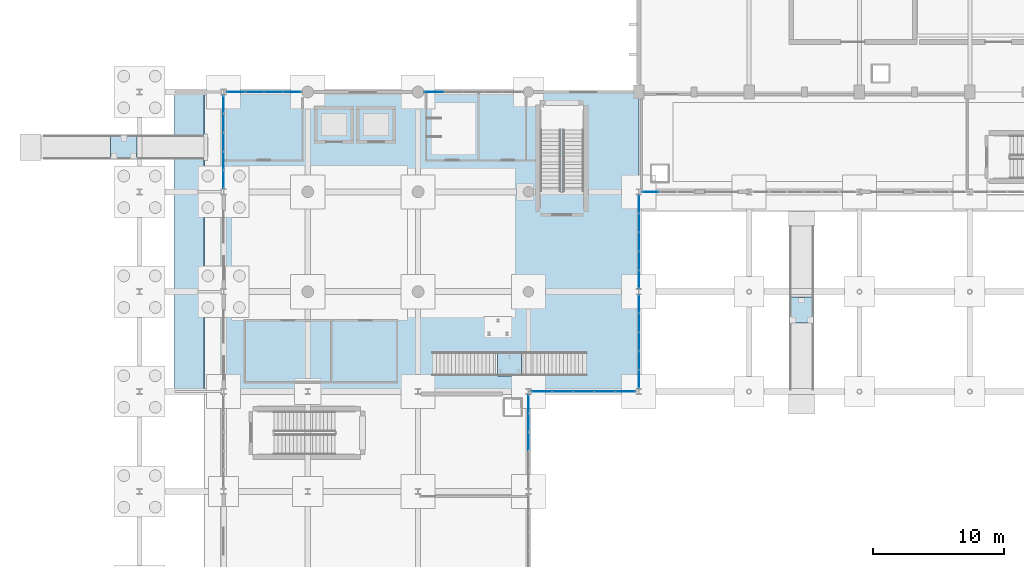
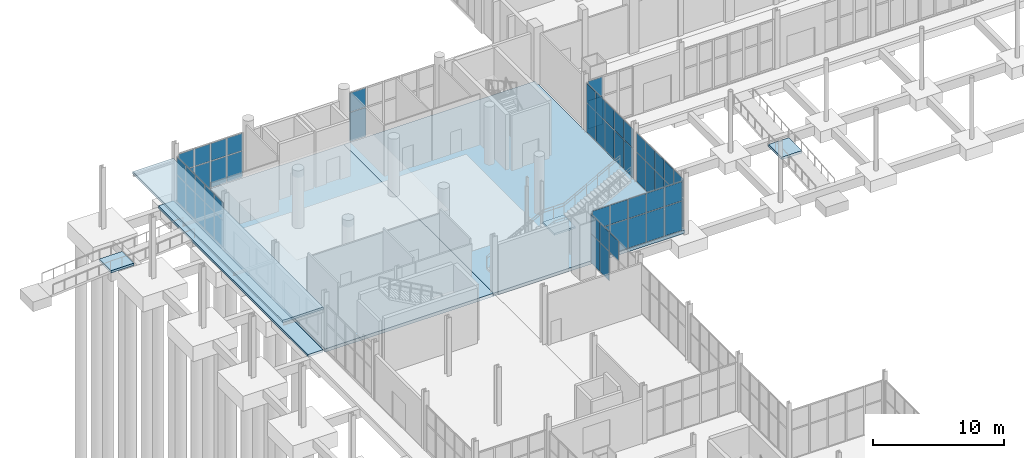
# One storey, part 62 of 95: 57 plates, 7 slabs, 11 elements without a shape of their own.
"""IFC4 building model written with IfcOpenShell, lengths in metres."""

import ifcopenshell
import ifcopenshell.guid

model = None  # the IFC model being written
_history = None  # IfcOwnerHistory: only IFC2X3 demands one
_inside = {}  # id of a spatial element -> (the spatial element, [elements in it])
_under = {}  # id of a project, library or spatial element -> (it, [spatial elements below it])
_declared = {}  # id of a project -> (the project, [libraries it declares])
_typed = {}  # id of a type object -> (the type object, [elements of that type])
_made_of = {}  # id of a material, layer set ... -> (it, [elements and type objects made of it])


def new_model(schema):
    """Start an empty IFC model of exactly this schema.

    Asked for "IFC4X3", IfcOpenShell would pick the latest addendum, in which some entities
    have other attributes; the version numbers below select the first issue.
    IFC2X3 requires an IfcOwnerHistory on every rooted entity: one is made here for all.
    """
    global model, _history
    if schema == "IFC4X3":
        model = ifcopenshell.file(schema_version=(4, 3, 0, 0))
    else:
        model = ifcopenshell.file(schema=schema)
    _inside.clear()
    _under.clear()
    _declared.clear()
    _typed.clear()
    _made_of.clear()
    _history = None
    if model.schema == "IFC2X3":
        org = make("IfcOrganization", Name="unknown")
        user = make(
            "IfcPersonAndOrganization",
            ThePerson=make("IfcPerson", FamilyName="unknown"),
            TheOrganization=org,
        )
        app = make(
            "IfcApplication",
            ApplicationDeveloper=org,
            Version="unknown",
            ApplicationFullName="unknown",
            ApplicationIdentifier="unknown",
        )
        _history = make(
            "IfcOwnerHistory",
            OwningUser=user,
            OwningApplication=app,
            ChangeAction="ADDED",
            CreationDate=0,
        )
    return model


def make(cls, **values):
    """One entity of the class cls with the attributes given. An attribute that is None is left unset."""
    return model.create_entity(
        cls, **{name: value for name, value in values.items() if value is not None}
    )


def rooted(cls, **values):
    """An entity with a GlobalId (a new one), such as an element, a storey or a relation."""
    return make(cls, GlobalId=ifcopenshell.guid.new(), OwnerHistory=_history, **values)


def si_unit(unit_type, name, prefix=None):
    """IfcSIUnit, for example si_unit("LENGTHUNIT", "METRE", prefix="MILLI")."""
    return make("IfcSIUnit", UnitType=unit_type, Prefix=prefix, Name=name)


def assignment(units):
    """IfcUnitAssignment: the units of a project."""
    return None if units is None else make("IfcUnitAssignment", Units=units)


def point(xyz):
    """IfcCartesianPoint."""
    return None if xyz is None else make("IfcCartesianPoint", Coordinates=xyz)


def direction(xyz):
    """IfcDirection."""
    return None if xyz is None else make("IfcDirection", DirectionRatios=xyz)


def frame(location, z_axis=None, x_axis=None):
    """IfcAxis2Placement3D, a coordinate frame: its origin and axes. An axis left out is left unset."""
    return make(
        "IfcAxis2Placement3D",
        Location=point(location),
        Axis=direction(z_axis),
        RefDirection=direction(x_axis),
    )


def frame_2d(location, x_axis=None):
    """IfcAxis2Placement2D, a coordinate frame in the plane: its origin and x axis."""
    return make(
        "IfcAxis2Placement2D", Location=point(location), RefDirection=direction(x_axis)
    )


def origin():
    """The frame at (0, 0, 0) with its axes left unset."""
    return frame((0.0, 0.0, 0.0))


def origin_2d():
    """The frame at (0, 0) in the plane with its x axis left unset."""
    return frame_2d((0.0, 0.0))


def place(relative_to, where):
    """IfcLocalPlacement: puts the frame where relative to a parent placement (None: the world)."""
    return make(
        "IfcLocalPlacement", PlacementRelTo=relative_to, RelativePlacement=where
    )


def context(
    kind, dimensions, precision=None, world=None, true_north=None, identifier=None
):
    """IfcGeometricRepresentationContext, for example the 3D "Model" context."""
    return make(
        "IfcGeometricRepresentationContext",
        ContextIdentifier=identifier,
        ContextType=kind,
        CoordinateSpaceDimension=dimensions,
        Precision=precision,
        WorldCoordinateSystem=world,
        TrueNorth=true_north,
    )


def subcontext(parent, identifier, kind, view, scale=None):
    """IfcGeometricRepresentationSubContext, for example "Body" below "Model"."""
    return make(
        "IfcGeometricRepresentationSubContext",
        ContextIdentifier=identifier,
        ContextType=kind,
        ParentContext=parent,
        TargetScale=scale,
        TargetView=view,
    )


def project(units=None, contexts=None):
    """IfcProject with its units and contexts."""
    return rooted(
        "IfcProject",
        Name="project",
        RepresentationContexts=contexts,
        UnitsInContext=assignment(units),
    )


def spatial(cls, under=None, at=None, **own):
    """A site, building, storey or space (cls), placed at a placement, below another one or the project."""
    s = rooted(cls, ObjectPlacement=at, **own)
    if under is not None:
        _under.setdefault(under.id(), (under, []))[1].append(s)
    return s


def polyline(points):
    """IfcPolyline through the points."""
    return make("IfcPolyline", Points=[point(p) for p in points])


def profile(cls, at=None, kind="AREA", **sizes):
    """A parametric profile (cls). Its sizes go by their IFC names, for example OverallWidth=200.0."""
    return make(cls, ProfileType=kind, Position=at, **sizes)


def rectangle(**sizes):
    """IfcRectangleProfileDef."""
    return profile("IfcRectangleProfileDef", **sizes)


def outline(outer, holes=None, kind="AREA"):
    """IfcArbitraryClosedProfileDef: a profile drawn as a closed curve; with holes, ...WithVoids."""
    if holes is None:
        return make("IfcArbitraryClosedProfileDef", ProfileType=kind, OuterCurve=outer)
    return make(
        "IfcArbitraryProfileDefWithVoids",
        ProfileType=kind,
        OuterCurve=outer,
        InnerCurves=holes,
    )


def extrude(swept, where, along, depth):
    """IfcExtrudedAreaSolid: the profile swept, set in the frame where, extruded along a direction by depth."""
    return make(
        "IfcExtrudedAreaSolid",
        SweptArea=swept,
        Position=where,
        ExtrudedDirection=direction(along),
        Depth=depth,
    )


def shape(context_of_items, identifier, shape_type, items):
    """IfcShapeRepresentation: the items that make up one representation, for example the "Body"."""
    return make(
        "IfcShapeRepresentation",
        ContextOfItems=context_of_items,
        RepresentationIdentifier=identifier,
        RepresentationType=shape_type,
        Items=items,
    )


def material(Name=None, Category=None):
    """IfcMaterial."""
    return make("IfcMaterial", Name=Name, Category=Category)


def layer(
    of_material, thickness, ventilated=None, Name=None, Category=None, Priority=None
):
    """IfcMaterialLayer: one layer of a wall or slab, of a material (None: an air gap)."""
    return make(
        "IfcMaterialLayer",
        Material=of_material,
        LayerThickness=thickness,
        IsVentilated=ventilated,
        Name=Name,
        Category=Category,
        Priority=Priority,
    )


def layer_set(layers, Name=None):
    """IfcMaterialLayerSet."""
    return make("IfcMaterialLayerSet", MaterialLayers=layers, LayerSetName=Name)


def made_of(thing, what):
    """Note that an element or type object is made of a material, layer set ...; save() writes the relation."""
    if what is not None:
        _made_of.setdefault(what.id(), (what, []))[1].append(thing)
    return thing


def type_object(cls, material=None, **own):
    """A type object (cls), such as IfcWallType, which elements share."""
    return made_of(rooted(cls, **own), material)


def element(
    cls,
    number,
    at=None,
    inside=None,
    cuts=None,
    type_object=None,
    material=None,
    context=None,
    identifier="Body",
    shape_type=None,
    held_by="IfcProductDefinitionShape",
    body=None,
    shapes=None,
    **own,
):
    """One element of the class cls, such as IfcWall. Its Tag is "e" and its number.

    at: its placement. inside: the storey or other place that contains it. cuts: it is an
    opening in that element (IfcRelVoidsElement). A single representation is given by context,
    identifier, shape_type and body (its items); several are given by shapes. held_by: the class
    of the entity that holds the representations. save() writes the other relations.
    """
    e = rooted(cls, Tag="e%d" % number, ObjectPlacement=at, **own)
    if body is not None:
        shapes = [shape(context, identifier, shape_type, body)]
    if shapes is not None:
        e.Representation = make(held_by, Representations=shapes)
    if inside is not None:
        _inside.setdefault(inside.id(), (inside, []))[1].append(e)
    if cuts is not None:
        rooted(
            "IfcRelVoidsElement", RelatingBuildingElement=cuts, RelatedOpeningElement=e
        )
    if type_object is not None:
        _typed.setdefault(type_object.id(), (type_object, []))[1].append(e)
    return made_of(e, material)


def aggregate(whole, parts):
    """IfcRelAggregates: a whole, such as a stair, and the parts it consists of."""
    return rooted("IfcRelAggregates", RelatingObject=whole, RelatedObjects=parts)


def save(model, path):
    """Write the relations noted so far, then the file.

    IfcRelAggregates (storeys below a building ...), IfcRelContainedInSpatialStructure (elements
    in a storey), IfcRelDefinesByType, IfcRelAssociatesMaterial and IfcRelDeclares: one each for
    every whole, place, type object, material and project.
    """
    for whole, parts in _under.values():
        aggregate(whole, parts)
    for where, things in _inside.values():
        rooted(
            "IfcRelContainedInSpatialStructure",
            RelatedElements=things,
            RelatingStructure=where,
        )
    for kind, things in _typed.values():
        rooted("IfcRelDefinesByType", RelatedObjects=things, RelatingType=kind)
    for what, things in _made_of.values():
        rooted("IfcRelAssociatesMaterial", RelatedObjects=things, RelatingMaterial=what)
    for by, libraries in _declared.values():
        rooted("IfcRelDeclares", RelatingContext=by, RelatedDefinitions=libraries)
    model.write(path)


model = new_model("IFC4")

# Units and contexts
model_context = context("Model", 3, precision=1e-05, world=origin(), true_north=direction((0.0, 1.0)))
body_context = subcontext(model_context, "Body", "Model", "MODEL_VIEW")
ifc_project = project(units=[si_unit("LENGTHUNIT", "METRE"), si_unit("AREAUNIT", "SQUARE_METRE"), si_unit("VOLUMEUNIT", "CUBIC_METRE"), si_unit("PLANEANGLEUNIT", "RADIAN"), si_unit("MASSUNIT", "GRAM", prefix="KILO")], contexts=[model_context])

# Site, building, storey
site_placement = place(None, origin())
site = spatial("IfcSite", under=ifc_project, at=site_placement, CompositionType="ELEMENT")
building_placement = place(site_placement, origin())
building = spatial("IfcBuilding", under=site, at=building_placement, Name="Shengluoqiao Park Theatre", CompositionType="ELEMENT")
storey_placement = place(building_placement, origin())
storey = spatial("IfcBuildingStorey", under=building, at=storey_placement, Name="L00", CompositionType="ELEMENT", Elevation=0.0)

# Curtain wall, plates
ifc_material_1 = material(Name="Aluminium 6063-T6", Category="aluminium")
curtain_wall_type_1 = type_object("IfcCurtainWallType", Name="ENV-CW-COURT", PredefinedType="NOTDEFINED", material=ifc_material_1)
curtain_wall_1_placement = place(storey_placement, origin())
curtain_wall_1 = element("IfcCurtainWall", 1, at=curtain_wall_1_placement, inside=storey, type_object=curtain_wall_type_1, Name="L00 Curtain Wall CWX-L00-0015", PredefinedType="NOTDEFINED")
ifc_material_2 = material(Name="Insulated glass", Category="glass")
ifc_layer_1 = layer(ifc_material_2, 0.0380859375, Name="Insulated glass")
ifc_layer_set_1 = layer_set([ifc_layer_1], Name="Insulated glass")
plate_type = type_object("IfcPlateType", Name="ENV-GLZ-GL-38", PredefinedType="CURTAIN_PANEL", material=ifc_layer_set_1)
plate_1_placement = place(storey_placement, frame((36.0, 49.39990234375, 2.820068359375), z_axis=(0.0, 0.0, 1.0), x_axis=(0.0, 1.0, 0.0)))
plate_1 = element("IfcPlate", 2, at=plate_1_placement, type_object=plate_type, Name="CW-05 panel 3.2", PredefinedType="CURTAIN_PANEL", context=body_context, shape_type="SweptSolid", body=[
    extrude(rectangle(XDim=1.372802734375, YDim=0.0380859375, at=origin_2d()), origin(), (0.0, 0.0, 1.0), 1.77001953125),
])
plate_2_placement = place(storey_placement, frame((36.0, 50.832763671875, 0.06005859375), z_axis=(0.0, 0.0, 1.0), x_axis=(0.0, 1.0, 0.0)))
plate_2 = element("IfcPlate", 3, at=plate_2_placement, type_object=plate_type, Name="CW-05 panel 4.1", PredefinedType="CURTAIN_PANEL", context=body_context, shape_type="SweptSolid", body=[
    extrude(rectangle(XDim=1.372802734375, YDim=0.0380859375, at=origin_2d()), origin(), (0.0, 0.0, 1.0), 2.699951171875),
])
plate_3_placement = place(storey_placement, frame((36.0, 50.832763671875, 2.820068359375), z_axis=(0.0, 0.0, 1.0), x_axis=(0.0, 1.0, 0.0)))
plate_3 = element("IfcPlate", 4, at=plate_3_placement, type_object=plate_type, Name="CW-05 panel 4.2", PredefinedType="CURTAIN_PANEL", context=body_context, shape_type="SweptSolid", body=[
    extrude(rectangle(XDim=1.372802734375, YDim=0.0380859375, at=origin_2d()), origin(), (0.0, 0.0, 1.0), 1.77001953125),
])
plate_4_placement = place(storey_placement, frame((36.0, 52.25048828125, 0.06005859375), z_axis=(0.0, 0.0, 1.0), x_axis=(0.0, 1.0, 0.0)))
plate_4 = element("IfcPlate", 5, at=plate_4_placement, type_object=plate_type, Name="CW-05 panel 5.1", PredefinedType="CURTAIN_PANEL", context=body_context, shape_type="SweptSolid", body=[
    extrude(rectangle(XDim=1.3427734375, YDim=0.0380859375, at=origin_2d()), origin(), (0.0, 0.0, 1.0), 2.699951171875),
])
plate_5_placement = place(storey_placement, frame((36.0, 52.25048828125, 2.820068359375), z_axis=(0.0, 0.0, 1.0), x_axis=(0.0, 1.0, 0.0)))
plate_5 = element("IfcPlate", 6, at=plate_5_placement, type_object=plate_type, Name="CW-05 panel 5.2", PredefinedType="CURTAIN_PANEL", context=body_context, shape_type="SweptSolid", body=[
    extrude(rectangle(XDim=1.3427734375, YDim=0.0380859375, at=origin_2d()), origin(), (0.0, 0.0, 1.0), 1.77001953125),
])
aggregate(curtain_wall_1, [plate_1, plate_2, plate_3, plate_4, plate_5])

curtain_wall_type_2 = type_object("IfcCurtainWallType", Name="ENV-CW-FOYER", PredefinedType="NOTDEFINED", material=ifc_material_1)
curtain_wall_2_placement = place(storey_placement, origin())
curtain_wall_2 = element("IfcCurtainWall", 7, at=curtain_wall_2_placement, inside=storey, type_object=curtain_wall_type_2, Name="L00 Curtain Wall CW-L00-0036", PredefinedType="NOTDEFINED")
plate_6_placement = place(storey_placement, frame((12.800048828125, 69.344970703125, 0.06494140625), z_axis=(0.0, 0.0, 1.0), x_axis=(0.0, 1.0, 0.0)))
plate_6 = element("IfcPlate", 8, at=plate_6_placement, type_object=plate_type, Name="CW-01 panel 1.1", PredefinedType="CURTAIN_PANEL", context=body_context, shape_type="SweptSolid", body=[
    extrude(rectangle(XDim=1.338134765625, YDim=0.0380859375, at=origin_2d()), origin(), (0.0, 0.0, 1.0), 2.445556640625),
])
plate_7_placement = place(storey_placement, frame((12.800048828125, 69.344970703125, 2.57568359375), z_axis=(0.0, 0.0, 1.0), x_axis=(0.0, 1.0, 0.0)))
plate_7 = element("IfcPlate", 9, at=plate_7_placement, type_object=plate_type, Name="CW-01 panel 1.2", PredefinedType="CURTAIN_PANEL", context=body_context, shape_type="SweptSolid", body=[
    extrude(rectangle(XDim=1.338134765625, YDim=0.0380859375, at=origin_2d()), origin(), (0.0, 0.0, 1.0), 1.597412109375),
])
plate_8_placement = place(storey_placement, frame((12.800048828125, 70.764404296875, 0.06494140625), z_axis=(0.0, 0.0, 1.0), x_axis=(0.0, 1.0, 0.0)))
plate_8 = element("IfcPlate", 10, at=plate_8_placement, type_object=plate_type, Name="CW-01 panel 2.1", PredefinedType="CURTAIN_PANEL", context=body_context, shape_type="SweptSolid", body=[
    extrude(rectangle(XDim=1.37060546875, YDim=0.0380859375, at=origin_2d()), origin(), (0.0, 0.0, 1.0), 2.445556640625),
])
plate_9_placement = place(storey_placement, frame((12.800048828125, 70.764404296875, 2.57568359375), z_axis=(0.0, 0.0, 1.0), x_axis=(0.0, 1.0, 0.0)))
plate_9 = element("IfcPlate", 11, at=plate_9_placement, type_object=plate_type, Name="CW-01 panel 2.2", PredefinedType="CURTAIN_PANEL", context=body_context, shape_type="SweptSolid", body=[
    extrude(rectangle(XDim=1.37060546875, YDim=0.0380859375, at=origin_2d()), origin(), (0.0, 0.0, 1.0), 1.597412109375),
])
plate_10_placement = place(storey_placement, frame((12.800048828125, 72.199951171875, 0.06494140625), z_axis=(0.0, 0.0, 1.0), x_axis=(0.0, 1.0, 0.0)))
plate_10 = element("IfcPlate", 12, at=plate_10_placement, type_object=plate_type, Name="CW-01 panel 3.1", PredefinedType="CURTAIN_PANEL", context=body_context, shape_type="SweptSolid", body=[
    extrude(rectangle(XDim=1.37060546875, YDim=0.0380859375, at=origin_2d()), origin(), (0.0, 0.0, 1.0), 2.445556640625),
])
plate_11_placement = place(storey_placement, frame((12.800048828125, 72.199951171875, 2.57568359375), z_axis=(0.0, 0.0, 1.0), x_axis=(0.0, 1.0, 0.0)))
plate_11 = element("IfcPlate", 13, at=plate_11_placement, type_object=plate_type, Name="CW-01 panel 3.2", PredefinedType="CURTAIN_PANEL", context=body_context, shape_type="SweptSolid", body=[
    extrude(rectangle(XDim=1.37060546875, YDim=0.0380859375, at=origin_2d()), origin(), (0.0, 0.0, 1.0), 1.597412109375),
])
plate_12_placement = place(storey_placement, frame((12.800048828125, 73.635498046875, 0.06494140625), z_axis=(0.0, 0.0, 1.0), x_axis=(0.0, 1.0, 0.0)))
plate_12 = element("IfcPlate", 14, at=plate_12_placement, type_object=plate_type, Name="CW-01 panel 4.1", PredefinedType="CURTAIN_PANEL", context=body_context, shape_type="SweptSolid", body=[
    extrude(rectangle(XDim=1.37060546875, YDim=0.0380859375, at=origin_2d()), origin(), (0.0, 0.0, 1.0), 2.445556640625),
])
plate_13_placement = place(storey_placement, frame((12.800048828125, 73.635498046875, 2.57568359375), z_axis=(0.0, 0.0, 1.0), x_axis=(0.0, 1.0, 0.0)))
plate_13 = element("IfcPlate", 15, at=plate_13_placement, type_object=plate_type, Name="CW-01 panel 4.2", PredefinedType="CURTAIN_PANEL", context=body_context, shape_type="SweptSolid", body=[
    extrude(rectangle(XDim=1.37060546875, YDim=0.0380859375, at=origin_2d()), origin(), (0.0, 0.0, 1.0), 1.597412109375),
])
plate_14_placement = place(storey_placement, frame((12.800048828125, 75.054931640625, 0.06494140625), z_axis=(0.0, 0.0, 1.0), x_axis=(0.0, 1.0, 0.0)))
plate_14 = element("IfcPlate", 16, at=plate_14_placement, type_object=plate_type, Name="CW-01 panel 5.1", PredefinedType="CURTAIN_PANEL", context=body_context, shape_type="SweptSolid", body=[
    extrude(rectangle(XDim=1.338134765625, YDim=0.0380859375, at=origin_2d()), origin(), (0.0, 0.0, 1.0), 2.445556640625),
])
plate_15_placement = place(storey_placement, frame((12.800048828125, 75.054931640625, 2.57568359375), z_axis=(0.0, 0.0, 1.0), x_axis=(0.0, 1.0, 0.0)))
plate_15 = element("IfcPlate", 17, at=plate_15_placement, type_object=plate_type, Name="CW-01 panel 5.2", PredefinedType="CURTAIN_PANEL", context=body_context, shape_type="SweptSolid", body=[
    extrude(rectangle(XDim=1.338134765625, YDim=0.0380859375, at=origin_2d()), origin(), (0.0, 0.0, 1.0), 1.597412109375),
])
aggregate(curtain_wall_2, [plate_6, plate_7, plate_8, plate_9, plate_10, plate_11, plate_12, plate_13, plate_14, plate_15])

curtain_wall_3_placement = place(storey_placement, origin())
curtain_wall_3 = element("IfcCurtainWall", 18, at=curtain_wall_3_placement, inside=storey, type_object=curtain_wall_type_2, Name="L00 Curtain Wall CW-L00-0037", PredefinedType="NOTDEFINED")
plate_16_placement = place(storey_placement, frame((13.740234375, 76.0, 0.06494140625), z_axis=(0.0, 0.0, 1.0), x_axis=(1.0, 0.0, 0.0)))
plate_16 = element("IfcPlate", 19, at=plate_16_placement, type_object=plate_type, Name="CW-01 panel 1.1", PredefinedType="CURTAIN_PANEL", context=body_context, shape_type="SweptSolid", body=[
    extrude(rectangle(XDim=1.33740234375, YDim=0.0380859375, at=origin_2d()), origin(), (0.0, 0.0, 1.0), 2.445556640625),
])
plate_17_placement = place(storey_placement, frame((13.740234375, 76.0, 2.57568359375), z_axis=(0.0, 0.0, 1.0), x_axis=(1.0, 0.0, 0.0)))
plate_17 = element("IfcPlate", 20, at=plate_17_placement, type_object=plate_type, Name="CW-01 panel 1.2", PredefinedType="CURTAIN_PANEL", context=body_context, shape_type="SweptSolid", body=[
    extrude(rectangle(XDim=1.33740234375, YDim=0.0380859375, at=origin_2d()), origin(), (0.0, 0.0, 1.0), 1.597412109375),
])
plate_18_placement = place(storey_placement, frame((15.15869140625, 76.0, 0.06494140625), z_axis=(0.0, 0.0, 1.0), x_axis=(1.0, 0.0, 0.0)))
plate_18 = element("IfcPlate", 21, at=plate_18_placement, type_object=plate_type, Name="CW-01 panel 2.1", PredefinedType="CURTAIN_PANEL", context=body_context, shape_type="SweptSolid", body=[
    extrude(rectangle(XDim=1.369873046875, YDim=0.0380859375, at=origin_2d()), origin(), (0.0, 0.0, 1.0), 2.445556640625),
])
plate_19_placement = place(storey_placement, frame((15.15869140625, 76.0, 2.57568359375), z_axis=(0.0, 0.0, 1.0), x_axis=(1.0, 0.0, 0.0)))
plate_19 = element("IfcPlate", 22, at=plate_19_placement, type_object=plate_type, Name="CW-01 panel 2.2", PredefinedType="CURTAIN_PANEL", context=body_context, shape_type="SweptSolid", body=[
    extrude(rectangle(XDim=1.369873046875, YDim=0.0380859375, at=origin_2d()), origin(), (0.0, 0.0, 1.0), 1.597412109375),
])
plate_20_placement = place(storey_placement, frame((16.59375, 76.0, 0.06494140625), z_axis=(0.0, 0.0, 1.0), x_axis=(1.0, 0.0, 0.0)))
plate_20 = element("IfcPlate", 23, at=plate_20_placement, type_object=plate_type, Name="CW-01 panel 3.1", PredefinedType="CURTAIN_PANEL", context=body_context, shape_type="SweptSolid", body=[
    extrude(rectangle(XDim=1.369873046875, YDim=0.0380859375, at=origin_2d()), origin(), (0.0, 0.0, 1.0), 2.445556640625),
])
plate_21_placement = place(storey_placement, frame((16.59375, 76.0, 2.57568359375), z_axis=(0.0, 0.0, 1.0), x_axis=(1.0, 0.0, 0.0)))
plate_21 = element("IfcPlate", 24, at=plate_21_placement, type_object=plate_type, Name="CW-01 panel 3.2", PredefinedType="CURTAIN_PANEL", context=body_context, shape_type="SweptSolid", body=[
    extrude(rectangle(XDim=1.369873046875, YDim=0.0380859375, at=origin_2d()), origin(), (0.0, 0.0, 1.0), 1.597412109375),
])
plate_22_placement = place(storey_placement, frame((18.01220703125, 76.0, 0.06494140625), z_axis=(0.0, 0.0, 1.0), x_axis=(1.0, 0.0, 0.0)))
plate_22 = element("IfcPlate", 25, at=plate_22_placement, type_object=plate_type, Name="CW-01 panel 4.1", PredefinedType="CURTAIN_PANEL", context=body_context, shape_type="SweptSolid", body=[
    extrude(rectangle(XDim=1.33740234375, YDim=0.0380859375, at=origin_2d()), origin(), (0.0, 0.0, 1.0), 2.445556640625),
])
plate_23_placement = place(storey_placement, frame((18.01220703125, 76.0, 2.57568359375), z_axis=(0.0, 0.0, 1.0), x_axis=(1.0, 0.0, 0.0)))
plate_23 = element("IfcPlate", 26, at=plate_23_placement, type_object=plate_type, Name="CW-01 panel 4.2", PredefinedType="CURTAIN_PANEL", context=body_context, shape_type="SweptSolid", body=[
    extrude(rectangle(XDim=1.33740234375, YDim=0.0380859375, at=origin_2d()), origin(), (0.0, 0.0, 1.0), 1.597412109375),
])
aggregate(curtain_wall_3, [plate_16, plate_17, plate_18, plate_19, plate_20, plate_21, plate_22, plate_23])

curtain_wall_4_placement = place(storey_placement, origin())
curtain_wall_4 = element("IfcCurtainWall", 27, at=curtain_wall_4_placement, inside=storey, type_object=curtain_wall_type_2, Name="L00 Curtain Wall CW-L00-0038", PredefinedType="NOTDEFINED")
plate_24_placement = place(storey_placement, frame((28.824462890625, 76.0, 0.06494140625), z_axis=(0.0, 0.0, 1.0), x_axis=(1.0, 0.0, 0.0)))
plate_24 = element("IfcPlate", 28, at=plate_24_placement, type_object=plate_type, Name="CW-01 panel 1.1", PredefinedType="CURTAIN_PANEL", context=body_context, shape_type="SweptSolid", body=[
    extrude(rectangle(XDim=1.410888671875, YDim=0.0380859375, at=origin_2d()), origin(), (0.0, 0.0, 1.0), 2.6923828125),
])
plate_25_placement = place(storey_placement, frame((28.824462890625, 76.0, 2.82275390625), z_axis=(0.0, 0.0, 1.0), x_axis=(1.0, 0.0, 0.0)))
plate_25 = element("IfcPlate", 29, at=plate_25_placement, type_object=plate_type, Name="CW-01 panel 1.2", PredefinedType="CURTAIN_PANEL", context=body_context, shape_type="SweptSolid", body=[
    extrude(rectangle(XDim=1.410888671875, YDim=0.0380859375, at=origin_2d()), origin(), (0.0, 0.0, 1.0), 1.762451171875),
])
aggregate(curtain_wall_4, [plate_24, plate_25])

curtain_wall_type_3 = type_object("IfcCurtainWallType", Name="ENV-CW-PROM", PredefinedType="NOTDEFINED", material=ifc_material_1)
curtain_wall_5_placement = place(storey_placement, origin())
curtain_wall_5 = element("IfcCurtainWall", 30, at=curtain_wall_5_placement, inside=storey, type_object=curtain_wall_type_3, Name="L00 Curtain Wall CW-L00-0039", PredefinedType="NOTDEFINED")
plate_26_placement = place(storey_placement, frame((45.29833984375, 68.39990234375, 0.06494140625), z_axis=(0.0, 0.0, 1.0), x_axis=(1.0, 0.0, 0.0)))
plate_26 = element("IfcPlate", 31, at=plate_26_placement, type_object=plate_type, Name="CW-04 panel 1.1", PredefinedType="CURTAIN_PANEL", context=body_context, shape_type="SweptSolid", body=[
    extrude(rectangle(XDim=1.253662109375, YDim=0.0380859375, at=origin_2d()), origin(), (0.0, 0.0, 1.0), 2.62744140625),
])
plate_27_placement = place(storey_placement, frame((45.29833984375, 68.39990234375, 2.75732421875), z_axis=(0.0, 0.0, 1.0), x_axis=(1.0, 0.0, 0.0)))
plate_27 = element("IfcPlate", 32, at=plate_27_placement, type_object=plate_type, Name="CW-04 panel 1.2", PredefinedType="CURTAIN_PANEL", context=body_context, shape_type="SweptSolid", body=[
    extrude(rectangle(XDim=1.253662109375, YDim=0.0380859375, at=origin_2d()), origin(), (0.0, 0.0, 1.0), 1.719482421875),
])
aggregate(curtain_wall_5, [plate_26, plate_27])

curtain_wall_6_placement = place(storey_placement, origin())
curtain_wall_6 = element("IfcCurtainWall", 33, at=curtain_wall_6_placement, inside=storey, type_object=curtain_wall_type_2, Name="L00 Curtain Wall CWX-L00-0209", PredefinedType="NOTDEFINED")
plate_28_placement = place(storey_placement, frame((37.02099609375, 53.199951171875, 0.06005859375), z_axis=(0.0, 0.0, 1.0), x_axis=(1.0, 0.0, 0.0)))
plate_28 = element("IfcPlate", 34, at=plate_28_placement, type_object=plate_type, Name="CW-01 panel 1.1", PredefinedType="CURTAIN_PANEL", context=body_context, shape_type="SweptSolid", body=[
    extrude(rectangle(XDim=1.507080078125, YDim=0.0380859375, at=origin_2d()), origin(), (0.0, 0.0, 1.0), 2.699951171875),
])
plate_29_placement = place(storey_placement, frame((37.02099609375, 53.199951171875, 2.820068359375), z_axis=(0.0, 0.0, 1.0), x_axis=(1.0, 0.0, 0.0)))
plate_29 = element("IfcPlate", 35, at=plate_29_placement, type_object=plate_type, Name="CW-01 panel 1.2", PredefinedType="CURTAIN_PANEL", context=body_context, shape_type="SweptSolid", body=[
    extrude(rectangle(XDim=1.507080078125, YDim=0.0380859375, at=origin_2d()), origin(), (0.0, 0.0, 1.0), 1.77001953125),
])
plate_30_placement = place(storey_placement, frame((38.603271484375, 53.199951171875, 0.06005859375), z_axis=(0.0, 0.0, 1.0), x_axis=(1.0, 0.0, 0.0)))
plate_30 = element("IfcPlate", 36, at=plate_30_placement, type_object=plate_type, Name="CW-01 panel 2.1", PredefinedType="CURTAIN_PANEL", context=body_context, shape_type="SweptSolid", body=[
    extrude(rectangle(XDim=1.537109375, YDim=0.0380859375, at=origin_2d()), origin(), (0.0, 0.0, 1.0), 2.699951171875),
])
plate_31_placement = place(storey_placement, frame((38.603271484375, 53.199951171875, 2.820068359375), z_axis=(0.0, 0.0, 1.0), x_axis=(1.0, 0.0, 0.0)))
plate_31 = element("IfcPlate", 37, at=plate_31_placement, type_object=plate_type, Name="CW-01 panel 2.2", PredefinedType="CURTAIN_PANEL", context=body_context, shape_type="SweptSolid", body=[
    extrude(rectangle(XDim=1.537109375, YDim=0.0380859375, at=origin_2d()), origin(), (0.0, 0.0, 1.0), 1.77001953125),
])
plate_32_placement = place(storey_placement, frame((40.200439453125, 53.199951171875, 0.06005859375), z_axis=(0.0, 0.0, 1.0), x_axis=(1.0, 0.0, 0.0)))
plate_32 = element("IfcPlate", 38, at=plate_32_placement, type_object=plate_type, Name="CW-01 panel 3.1", PredefinedType="CURTAIN_PANEL", context=body_context, shape_type="SweptSolid", body=[
    extrude(rectangle(XDim=1.537109375, YDim=0.0380859375, at=origin_2d()), origin(), (0.0, 0.0, 1.0), 2.699951171875),
])
plate_33_placement = place(storey_placement, frame((40.200439453125, 53.199951171875, 2.820068359375), z_axis=(0.0, 0.0, 1.0), x_axis=(1.0, 0.0, 0.0)))
plate_33 = element("IfcPlate", 39, at=plate_33_placement, type_object=plate_type, Name="CW-01 panel 3.2", PredefinedType="CURTAIN_PANEL", context=body_context, shape_type="SweptSolid", body=[
    extrude(rectangle(XDim=1.537109375, YDim=0.0380859375, at=origin_2d()), origin(), (0.0, 0.0, 1.0), 1.77001953125),
])
plate_34_placement = place(storey_placement, frame((41.797607421875, 53.199951171875, 0.06005859375), z_axis=(0.0, 0.0, 1.0), x_axis=(1.0, 0.0, 0.0)))
plate_34 = element("IfcPlate", 40, at=plate_34_placement, type_object=plate_type, Name="CW-01 panel 4.1", PredefinedType="CURTAIN_PANEL", context=body_context, shape_type="SweptSolid", body=[
    extrude(rectangle(XDim=1.537109375, YDim=0.0380859375, at=origin_2d()), origin(), (0.0, 0.0, 1.0), 2.699951171875),
])
plate_35_placement = place(storey_placement, frame((41.797607421875, 53.199951171875, 2.820068359375), z_axis=(0.0, 0.0, 1.0), x_axis=(1.0, 0.0, 0.0)))
plate_35 = element("IfcPlate", 41, at=plate_35_placement, type_object=plate_type, Name="CW-01 panel 4.2", PredefinedType="CURTAIN_PANEL", context=body_context, shape_type="SweptSolid", body=[
    extrude(rectangle(XDim=1.537109375, YDim=0.0380859375, at=origin_2d()), origin(), (0.0, 0.0, 1.0), 1.77001953125),
])
plate_36_placement = place(storey_placement, frame((43.3798828125, 53.199951171875, 0.06005859375), z_axis=(0.0, 0.0, 1.0), x_axis=(1.0, 0.0, 0.0)))
plate_36 = element("IfcPlate", 42, at=plate_36_placement, type_object=plate_type, Name="CW-01 panel 5.1", PredefinedType="CURTAIN_PANEL", context=body_context, shape_type="SweptSolid", body=[
    extrude(rectangle(XDim=1.507080078125, YDim=0.0380859375, at=origin_2d()), origin(), (0.0, 0.0, 1.0), 2.699951171875),
])
plate_37_placement = place(storey_placement, frame((43.3798828125, 53.199951171875, 2.820068359375), z_axis=(0.0, 0.0, 1.0), x_axis=(1.0, 0.0, 0.0)))
plate_37 = element("IfcPlate", 43, at=plate_37_placement, type_object=plate_type, Name="CW-01 panel 5.2", PredefinedType="CURTAIN_PANEL", context=body_context, shape_type="SweptSolid", body=[
    extrude(rectangle(XDim=1.507080078125, YDim=0.0380859375, at=origin_2d()), origin(), (0.0, 0.0, 1.0), 1.77001953125),
])
aggregate(curtain_wall_6, [plate_28, plate_29, plate_30, plate_31, plate_32, plate_33, plate_34, plate_35, plate_36, plate_37])

curtain_wall_7_placement = place(storey_placement, origin())
curtain_wall_7 = element("IfcCurtainWall", 44, at=curtain_wall_7_placement, inside=storey, type_object=curtain_wall_type_1, Name="L00 Curtain Wall CWX-L00-0210", PredefinedType="NOTDEFINED")
plate_38_placement = place(storey_placement, frame((44.39990234375, 54.143798828125, 0.06005859375), z_axis=(0.0, 0.0, 1.0), x_axis=(0.0, 1.0, 0.0)))
plate_38 = element("IfcPlate", 45, at=plate_38_placement, type_object=plate_type, Name="CW-05 panel 1.1", PredefinedType="CURTAIN_PANEL", context=body_context, shape_type="SweptSolid", body=[
    extrude(rectangle(XDim=1.345703125, YDim=0.0380859375, at=origin_2d()), origin(), (0.0, 0.0, 1.0), 2.699951171875),
])
plate_39_placement = place(storey_placement, frame((44.39990234375, 54.143798828125, 2.820068359375), z_axis=(0.0, 0.0, 1.0), x_axis=(0.0, 1.0, 0.0)))
plate_39 = element("IfcPlate", 46, at=plate_39_placement, type_object=plate_type, Name="CW-05 panel 1.2", PredefinedType="CURTAIN_PANEL", context=body_context, shape_type="SweptSolid", body=[
    extrude(rectangle(XDim=1.345703125, YDim=0.0380859375, at=origin_2d()), origin(), (0.0, 0.0, 1.0), 1.77001953125),
])
plate_40_placement = place(storey_placement, frame((44.39990234375, 55.564453125, 0.06005859375), z_axis=(0.0, 0.0, 1.0), x_axis=(0.0, 1.0, 0.0)))
plate_40 = element("IfcPlate", 47, at=plate_40_placement, type_object=plate_type, Name="CW-05 panel 2.1", PredefinedType="CURTAIN_PANEL", context=body_context, shape_type="SweptSolid", body=[
    extrude(rectangle(XDim=1.37548828125, YDim=0.0380859375, at=origin_2d()), origin(), (0.0, 0.0, 1.0), 2.699951171875),
])
plate_41_placement = place(storey_placement, frame((44.39990234375, 55.564453125, 2.820068359375), z_axis=(0.0, 0.0, 1.0), x_axis=(0.0, 1.0, 0.0)))
plate_41 = element("IfcPlate", 48, at=plate_41_placement, type_object=plate_type, Name="CW-05 panel 2.2", PredefinedType="CURTAIN_PANEL", context=body_context, shape_type="SweptSolid", body=[
    extrude(rectangle(XDim=1.37548828125, YDim=0.0380859375, at=origin_2d()), origin(), (0.0, 0.0, 1.0), 1.77001953125),
])
plate_42_placement = place(storey_placement, frame((44.39990234375, 57.0, 0.06005859375), z_axis=(0.0, 0.0, 1.0), x_axis=(0.0, 1.0, 0.0)))
plate_42 = element("IfcPlate", 49, at=plate_42_placement, type_object=plate_type, Name="CW-05 panel 3.1", PredefinedType="CURTAIN_PANEL", context=body_context, shape_type="SweptSolid", body=[
    extrude(rectangle(XDim=1.37548828125, YDim=0.0380859375, at=origin_2d()), origin(), (0.0, 0.0, 1.0), 2.699951171875),
])
plate_43_placement = place(storey_placement, frame((44.39990234375, 57.0, 2.820068359375), z_axis=(0.0, 0.0, 1.0), x_axis=(0.0, 1.0, 0.0)))
plate_43 = element("IfcPlate", 50, at=plate_43_placement, type_object=plate_type, Name="CW-05 panel 3.2", PredefinedType="CURTAIN_PANEL", context=body_context, shape_type="SweptSolid", body=[
    extrude(rectangle(XDim=1.37548828125, YDim=0.0380859375, at=origin_2d()), origin(), (0.0, 0.0, 1.0), 1.77001953125),
])
plate_44_placement = place(storey_placement, frame((44.39990234375, 58.435546875, 0.06005859375), z_axis=(0.0, 0.0, 1.0), x_axis=(0.0, 1.0, 0.0)))
plate_44 = element("IfcPlate", 51, at=plate_44_placement, type_object=plate_type, Name="CW-05 panel 4.1", PredefinedType="CURTAIN_PANEL", context=body_context, shape_type="SweptSolid", body=[
    extrude(rectangle(XDim=1.37548828125, YDim=0.0380859375, at=origin_2d()), origin(), (0.0, 0.0, 1.0), 2.699951171875),
])
plate_45_placement = place(storey_placement, frame((44.39990234375, 58.435546875, 2.820068359375), z_axis=(0.0, 0.0, 1.0), x_axis=(0.0, 1.0, 0.0)))
plate_45 = element("IfcPlate", 52, at=plate_45_placement, type_object=plate_type, Name="CW-05 panel 4.2", PredefinedType="CURTAIN_PANEL", context=body_context, shape_type="SweptSolid", body=[
    extrude(rectangle(XDim=1.37548828125, YDim=0.0380859375, at=origin_2d()), origin(), (0.0, 0.0, 1.0), 1.77001953125),
])
plate_46_placement = place(storey_placement, frame((44.39990234375, 59.856201171875, 0.06005859375), z_axis=(0.0, 0.0, 1.0), x_axis=(0.0, 1.0, 0.0)))
plate_46 = element("IfcPlate", 53, at=plate_46_placement, type_object=plate_type, Name="CW-05 panel 5.1", PredefinedType="CURTAIN_PANEL", context=body_context, shape_type="SweptSolid", body=[
    extrude(rectangle(XDim=1.345703125, YDim=0.0380859375, at=origin_2d()), origin(), (0.0, 0.0, 1.0), 2.699951171875),
])
plate_47_placement = place(storey_placement, frame((44.39990234375, 59.856201171875, 2.820068359375), z_axis=(0.0, 0.0, 1.0), x_axis=(0.0, 1.0, 0.0)))
plate_47 = element("IfcPlate", 54, at=plate_47_placement, type_object=plate_type, Name="CW-05 panel 5.2", PredefinedType="CURTAIN_PANEL", context=body_context, shape_type="SweptSolid", body=[
    extrude(rectangle(XDim=1.345703125, YDim=0.0380859375, at=origin_2d()), origin(), (0.0, 0.0, 1.0), 1.77001953125),
])
aggregate(curtain_wall_7, [plate_38, plate_39, plate_40, plate_41, plate_42, plate_43, plate_44, plate_45, plate_46, plate_47])

curtain_wall_8_placement = place(storey_placement, origin())
curtain_wall_8 = element("IfcCurtainWall", 55, at=curtain_wall_8_placement, inside=storey, type_object=curtain_wall_type_1, Name="L00 Curtain Wall CWX-L00-0211", PredefinedType="NOTDEFINED")
plate_48_placement = place(storey_placement, frame((44.39990234375, 61.743896484375, 0.06005859375), z_axis=(0.0, 0.0, 1.0), x_axis=(0.0, 1.0, 0.0)))
plate_48 = element("IfcPlate", 56, at=plate_48_placement, type_object=plate_type, Name="CW-05 panel 1.1", PredefinedType="CURTAIN_PANEL", context=body_context, shape_type="SweptSolid", body=[
    extrude(rectangle(XDim=1.345703125, YDim=0.0380859375, at=origin_2d()), origin(), (0.0, 0.0, 1.0), 2.699951171875),
])
plate_49_placement = place(storey_placement, frame((44.39990234375, 61.743896484375, 2.820068359375), z_axis=(0.0, 0.0, 1.0), x_axis=(0.0, 1.0, 0.0)))
plate_49 = element("IfcPlate", 57, at=plate_49_placement, type_object=plate_type, Name="CW-05 panel 1.2", PredefinedType="CURTAIN_PANEL", context=body_context, shape_type="SweptSolid", body=[
    extrude(rectangle(XDim=1.345703125, YDim=0.0380859375, at=origin_2d()), origin(), (0.0, 0.0, 1.0), 1.77001953125),
])
plate_50_placement = place(storey_placement, frame((44.39990234375, 63.164306640625, 0.06005859375), z_axis=(0.0, 0.0, 1.0), x_axis=(0.0, 1.0, 0.0)))
plate_50 = element("IfcPlate", 58, at=plate_50_placement, type_object=plate_type, Name="CW-05 panel 2.1", PredefinedType="CURTAIN_PANEL", context=body_context, shape_type="SweptSolid", body=[
    extrude(rectangle(XDim=1.37548828125, YDim=0.0380859375, at=origin_2d()), origin(), (0.0, 0.0, 1.0), 2.699951171875),
])
plate_51_placement = place(storey_placement, frame((44.39990234375, 63.164306640625, 2.820068359375), z_axis=(0.0, 0.0, 1.0), x_axis=(0.0, 1.0, 0.0)))
plate_51 = element("IfcPlate", 59, at=plate_51_placement, type_object=plate_type, Name="CW-05 panel 2.2", PredefinedType="CURTAIN_PANEL", context=body_context, shape_type="SweptSolid", body=[
    extrude(rectangle(XDim=1.37548828125, YDim=0.0380859375, at=origin_2d()), origin(), (0.0, 0.0, 1.0), 1.77001953125),
])
plate_52_placement = place(storey_placement, frame((44.39990234375, 64.60009765625, 0.06005859375), z_axis=(0.0, 0.0, 1.0), x_axis=(0.0, 1.0, 0.0)))
plate_52 = element("IfcPlate", 60, at=plate_52_placement, type_object=plate_type, Name="CW-05 panel 3.1", PredefinedType="CURTAIN_PANEL", context=body_context, shape_type="SweptSolid", body=[
    extrude(rectangle(XDim=1.37548828125, YDim=0.0380859375, at=origin_2d()), origin(), (0.0, 0.0, 1.0), 2.699951171875),
])
plate_53_placement = place(storey_placement, frame((44.39990234375, 64.60009765625, 2.820068359375), z_axis=(0.0, 0.0, 1.0), x_axis=(0.0, 1.0, 0.0)))
plate_53 = element("IfcPlate", 61, at=plate_53_placement, type_object=plate_type, Name="CW-05 panel 3.2", PredefinedType="CURTAIN_PANEL", context=body_context, shape_type="SweptSolid", body=[
    extrude(rectangle(XDim=1.37548828125, YDim=0.0380859375, at=origin_2d()), origin(), (0.0, 0.0, 1.0), 1.77001953125),
])
plate_54_placement = place(storey_placement, frame((44.39990234375, 66.03564453125, 0.06005859375), z_axis=(0.0, 0.0, 1.0), x_axis=(0.0, 1.0, 0.0)))
plate_54 = element("IfcPlate", 62, at=plate_54_placement, type_object=plate_type, Name="CW-05 panel 4.1", PredefinedType="CURTAIN_PANEL", context=body_context, shape_type="SweptSolid", body=[
    extrude(rectangle(XDim=1.37548828125, YDim=0.0380859375, at=origin_2d()), origin(), (0.0, 0.0, 1.0), 2.699951171875),
])
plate_55_placement = place(storey_placement, frame((44.39990234375, 66.03564453125, 2.820068359375), z_axis=(0.0, 0.0, 1.0), x_axis=(0.0, 1.0, 0.0)))
plate_55 = element("IfcPlate", 63, at=plate_55_placement, type_object=plate_type, Name="CW-05 panel 4.2", PredefinedType="CURTAIN_PANEL", context=body_context, shape_type="SweptSolid", body=[
    extrude(rectangle(XDim=1.37548828125, YDim=0.0380859375, at=origin_2d()), origin(), (0.0, 0.0, 1.0), 1.77001953125),
])
plate_56_placement = place(storey_placement, frame((44.39990234375, 67.456298828125, 0.06005859375), z_axis=(0.0, 0.0, 1.0), x_axis=(0.0, 1.0, 0.0)))
plate_56 = element("IfcPlate", 64, at=plate_56_placement, type_object=plate_type, Name="CW-05 panel 5.1", PredefinedType="CURTAIN_PANEL", context=body_context, shape_type="SweptSolid", body=[
    extrude(rectangle(XDim=1.345703125, YDim=0.0380859375, at=origin_2d()), origin(), (0.0, 0.0, 1.0), 2.699951171875),
])
plate_57_placement = place(storey_placement, frame((44.39990234375, 67.456298828125, 2.820068359375), z_axis=(0.0, 0.0, 1.0), x_axis=(0.0, 1.0, 0.0)))
plate_57 = element("IfcPlate", 65, at=plate_57_placement, type_object=plate_type, Name="CW-05 panel 5.2", PredefinedType="CURTAIN_PANEL", context=body_context, shape_type="SweptSolid", body=[
    extrude(rectangle(XDim=1.345703125, YDim=0.0380859375, at=origin_2d()), origin(), (0.0, 0.0, 1.0), 1.77001953125),
])
aggregate(curtain_wall_8, [plate_48, plate_49, plate_50, plate_51, plate_52, plate_53, plate_54, plate_55, plate_56, plate_57])

# Slabs
ifc_material_3 = material(Name="Concrete C40", Category="concrete")
ifc_layer_2 = layer(ifc_material_3, 0.219970703125, Name="Concrete C40")
ifc_layer_set_2 = layer_set([ifc_layer_2], Name="Concrete C40")
slab_type_1 = type_object("IfcSlabType", Name="ENV-SLB-APRON", PredefinedType="BASESLAB", material=ifc_layer_set_2)
slab_1_placement = place(storey_placement, frame((0.0, 0.0, -0.219970703125)))
element("IfcSlab", 66, at=slab_1_placement, inside=storey, type_object=slab_type_1, Name="Exterior Threshold Apron APR-WEST-FOY", PredefinedType="BASESLAB", context=body_context, shape_type="SweptSolid", body=[
    extrude(outline(polyline([(11.300048828125, 53.199951171875), (12.6201171875, 53.199951171875), (12.6201171875, 76.0), (11.300048828125, 76.0), (11.300048828125, 53.199951171875)])), origin(), (0.0, 0.0, 1.0), 0.219970703125),
])
ifc_layer_3 = layer(ifc_material_3, 0.219970703125, Name="Concrete C40")
ifc_layer_set_3 = layer_set([ifc_layer_3], Name="Concrete C40")
slab_type_2 = type_object("IfcSlabType", Name="ENV-SLB-RMLND", PredefinedType="LANDING", material=ifc_layer_set_3)
slab_2_placement = place(storey_placement, frame((0.0, 0.0, 3.739990234375)))
element("IfcSlab", 67, at=slab_2_placement, inside=storey, type_object=slab_type_2, Name="West Main Entrance Protective Canopy", PredefinedType="ROOF", context=body_context, shape_type="SweptSolid", body=[
    extrude(outline(polyline([(9.050048828125, 53.199951171875), (12.639892578125, 53.199951171875), (12.639892578125, 76.0), (9.050048828125, 76.0), (9.050048828125, 53.199951171875)])), origin(), (0.0, 0.0, 1.0), 0.219970703125),
])

# Ramp, slab
ramp_type = type_object("IfcRampType", Name="ENV-RMP-PED", PredefinedType="TWO_STRAIGHT_RUN_RAMP", material=ifc_material_3)
ramp_1_placement = place(storey_placement, origin())
ramp_1 = element("IfcRamp", 68, at=ramp_1_placement, inside=storey, type_object=ramp_type, Name="West Forecourt Wheelchair Ramp 01", PredefinedType="TWO_STRAIGHT_RUN_RAMP")
slab_3_placement = place(storey_placement, frame((0.0, 0.0, -0.669921875)))
slab_3 = element("IfcSlab", 69, at=slab_3_placement, type_object=slab_type_2, Name="RMP-01 Intermediate Landing", PredefinedType="LANDING", context=body_context, shape_type="SweptSolid", body=[
    extrude(outline(polyline([(4.199951171875, 70.89990234375), (6.199951171875, 70.89990234375), (6.199951171875, 72.699951171875), (4.199951171875, 72.699951171875), (4.199951171875, 70.89990234375)])), origin(), (0.0, 0.0, 1.0), 0.219970703125),
])
aggregate(ramp_1, [slab_3])

ramp_2_placement = place(storey_placement, origin())
ramp_2 = element("IfcRamp", 70, at=ramp_2_placement, inside=storey, type_object=ramp_type, Name="South Garden Court Wheelchair Ramp 03", PredefinedType="TWO_STRAIGHT_RUN_RAMP")
slab_4_placement = place(storey_placement, frame((0.0, 0.0, -0.669921875)))
slab_4 = element("IfcSlab", 71, at=slab_4_placement, type_object=slab_type_2, Name="RMP-03 Intermediate Landing", PredefinedType="LANDING", context=body_context, shape_type="SweptSolid", body=[
    extrude(outline(polyline([(55.89990234375, 58.39990234375), (57.699951171875, 58.39990234375), (57.699951171875, 60.39990234375), (55.89990234375, 60.39990234375), (55.89990234375, 58.39990234375)])), origin(), (0.0, 0.0, 1.0), 0.219970703125),
])
aggregate(ramp_2, [slab_4])

# Stair, slab
ifc_material_4 = material(Name="Steel Q355", Category="steel")
stair_type = type_object("IfcStairType", Name="INT-STR-ST-F180", PredefinedType="STRAIGHT_RUN_STAIR", material=ifc_material_4)
stair_placement = place(storey_placement, origin())
stair = element("IfcStair", 72, at=stair_placement, inside=storey, type_object=stair_type, Name="Main Foyer Feature Stair 07", PredefinedType="STRAIGHT_RUN_STAIR")
ifc_layer_4 = layer(ifc_material_3, 0.169921875, Name="Concrete C40")
ifc_layer_set_4 = layer_set([ifc_layer_4], Name="Concrete C40")
slab_type_3 = type_object("IfcSlabType", Name="INT-LND-SL-170", PredefinedType="LANDING", material=ifc_layer_set_4)
slab_5_placement = place(storey_placement, frame((0.0, 0.0, 2.530029296875)))
slab_5 = element("IfcSlab", 73, at=slab_5_placement, type_object=slab_type_3, Name="ST-07 landing 1", PredefinedType="LANDING", context=body_context, shape_type="SweptSolid", body=[
    extrude(outline(polyline([(33.6298828125, 54.39990234375), (35.47998046875, 54.39990234375), (35.47998046875, 56.199951171875), (33.6298828125, 56.199951171875), (33.6298828125, 54.39990234375)])), origin(), (0.0, 0.0, 1.0), 0.169921875),
])
aggregate(stair, [slab_5])

# Slabs
ifc_layer_5 = layer(ifc_material_3, 0.300048828125, Name="Concrete C40")
ifc_layer_set_5 = layer_set([ifc_layer_5], Name="Concrete C40")
slab_type_4 = type_object("IfcSlabType", Name="STR-SLB-FL300", PredefinedType="FLOOR", material=ifc_layer_set_5)
slab_6_placement = place(storey_placement, frame((0.0, 0.0, -0.300048828125)))
element("IfcSlab", 74, at=slab_6_placement, inside=storey, type_object=slab_type_4, Name="Floor Slab L00-V5-W", PredefinedType="FLOOR", context=body_context, shape_type="SweptSolid", body=[
    extrude(outline(polyline([(12.800048828125, 53.199951171875), (12.800048828125, 76.0), (27.60009765625, 76.0), (27.60009765625, 53.199951171875), (12.800048828125, 53.199951171875)])), origin(), (0.0, 0.0, 1.0), 0.300048828125),
])
slab_7_placement = place(storey_placement, frame((0.0, 0.0, -0.300048828125)))
element("IfcSlab", 75, at=slab_7_placement, inside=storey, type_object=slab_type_4, Name="Floor Slab L00-V5-E", PredefinedType="FLOOR", context=body_context, shape_type="SweptSolid", body=[
    extrude(outline(polyline([(27.60009765625, 53.199951171875), (27.60009765625, 76.0), (44.39990234375, 76.0), (44.39990234375, 53.199951171875), (27.60009765625, 53.199951171875)])), origin(), (0.0, 0.0, 1.0), 0.300048828125),
])

save(model, "model.ifc")
